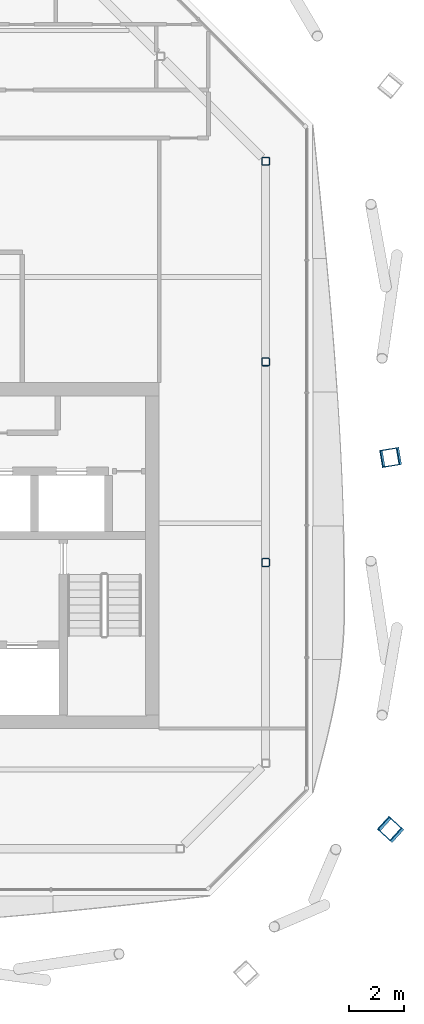
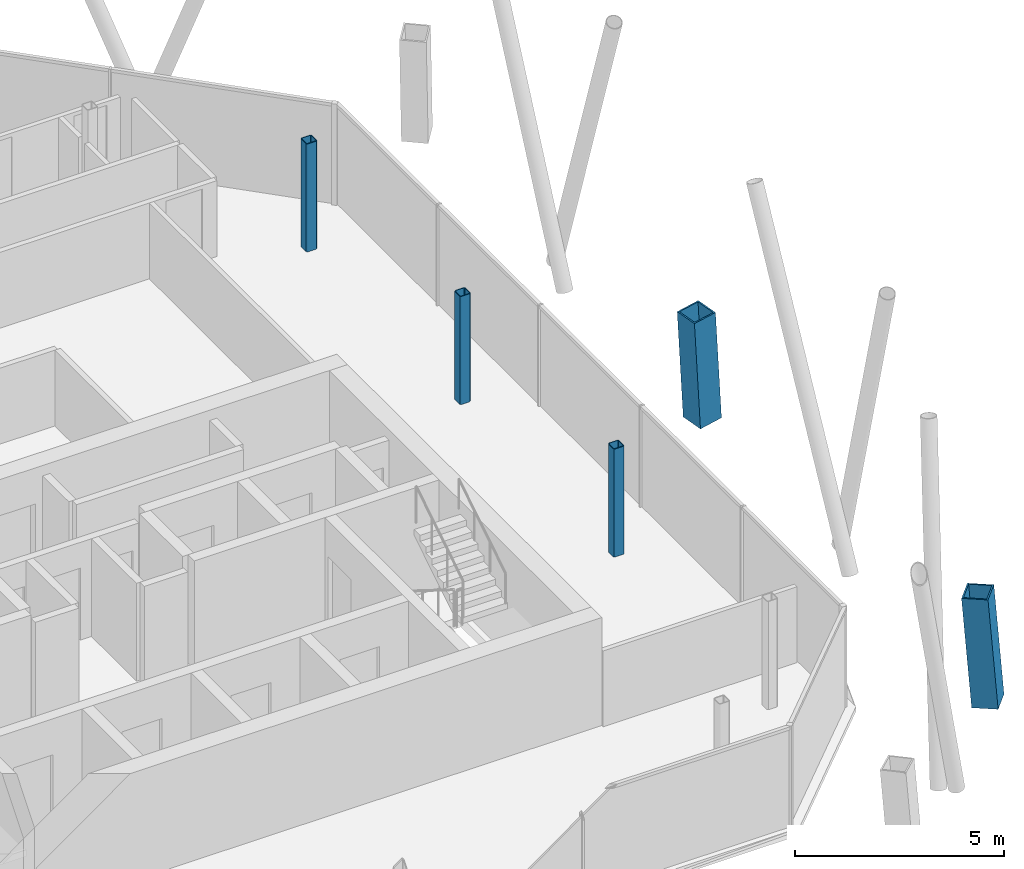
# One storey, part 2 of 17: 5 columns.
"""IFC4 building model written with IfcOpenShell, lengths in metres."""

from ifc_helpers import new_model, si_unit, direction, frame, origin, origin_2d, place, context, subcontext, project, spatial, hollow_rectangle, extrude, material, material_profile, profile_set, type_object, element, save


model = new_model("IFC4")

# Units and contexts
model_context = context("Model", 3, precision=1e-05, world=origin(), true_north=direction((0.0, 1.0)))
body_context = subcontext(model_context, "Body", "Model", "MODEL_VIEW")
ifc_project = project(units=[si_unit("LENGTHUNIT", "METRE"), si_unit("AREAUNIT", "SQUARE_METRE"), si_unit("VOLUMEUNIT", "CUBIC_METRE"), si_unit("PLANEANGLEUNIT", "RADIAN"), si_unit("MASSUNIT", "GRAM", prefix="KILO")], contexts=[model_context])

# Site, building, storey
site_placement = place(None, origin())
site = spatial("IfcSite", under=ifc_project, at=site_placement, CompositionType="ELEMENT")
building_placement = place(site_placement, origin())
building = spatial("IfcBuilding", under=site, at=building_placement, Name="Tskaro Facet Tower", CompositionType="ELEMENT")
storey_placement = place(building_placement, frame((0.0, 0.0, 236.10009765625)))
storey = spatial("IfcBuildingStorey", under=building, at=storey_placement, Name="L61", CompositionType="ELEMENT", Elevation=236.10009765625)

# Columns
ifc_material_1 = material(Name="Steel S355J2", Category="steel")
ifc_material_profile_1 = material_profile(ifc_material_1, hollow_rectangle(XDim=0.64990234375, YDim=0.64990234375, WallThickness=0.0400390625, at=origin_2d()), Name="BOX 650x650x40")
ifc_profile_set_1 = profile_set([ifc_material_profile_1], Name="Steel S355J2")
column_type_1 = type_object("IfcColumnType", Name="BOX 650x650x40 mega column", PredefinedType="COLUMN", material=ifc_profile_set_1)
column_1_placement = place(storey_placement, frame((17.989013671875, -15.719970703125, 0.0), z_axis=(-0.057951446548, 0.052851719252, 0.996919417814), x_axis=(-0.673848784787, -0.738869281565, 0.0)))
element("IfcColumn", 1, at=column_1_placement, inside=storey, type_object=column_type_1, Name="BOX 650x650x40 MC04/5", PredefinedType="COLUMN", context=body_context, shape_type="SweptSolid", body=[
    extrude(hollow_rectangle(XDim=0.64990234375, YDim=0.64990234375, WallThickness=0.0400390625, at=origin_2d()), origin(), (0.0, 0.0, 1.0), 3.15966796875),
])
column_2_placement = place(storey_placement, frame((17.989013671875, -2.092041015625, 0.0), z_axis=(-0.058029926409, -0.009516907931, 0.998269480704), x_axis=(0.161838042552, -0.986817332632, 0.0)))
element("IfcColumn", 2, at=column_2_placement, inside=storey, type_object=column_type_1, Name="BOX 650x650x40 MC05/5", PredefinedType="COLUMN", context=body_context, shape_type="SweptSolid", body=[
    extrude(hollow_rectangle(XDim=0.64990234375, YDim=0.64990234375, WallThickness=0.0400390625, at=origin_2d()), origin(), (0.0, 0.0, 1.0), 3.1552734375),
])
ifc_material_2 = material(Name="Steel S355J2H", Category="steel")
ifc_material_profile_2 = material_profile(ifc_material_2, hollow_rectangle(XDim=0.300048828125, YDim=0.300048828125, WallThickness=0.02001953125, InnerFilletRadius=0.030029296875, OuterFilletRadius=0.050048828125, at=origin_2d()), Name="SHS 300x300x20")
ifc_profile_set_2 = profile_set([ifc_material_profile_2], Name="Steel S355J2H")
column_type_2 = type_object("IfcColumnType", Name="SHS 300x300x20 ring column", PredefinedType="COLUMN", material=ifc_profile_set_2)
for number, where, z_axis, x_axis, name in (
    (3, (13.39111328125, -5.93701171875, 0.0), (0.0, 0.0, 1.0), (1.0, 0.0, 0.0), "SHS 300x300x20 RE-2/5"),
    (4, (13.39111328125, 1.39404296875, 0.0), (0.0, 0.0, 1.0), (1.0, 0.0, 0.0), "SHS 300x300x20 RE-3/5"),
    (5, (13.39111328125, 8.72509765625, 0.0), (0.0, 0.0, 1.0), (1.0, 0.0, 0.0), "SHS 300x300x20 RNE-1/5"),
):
    element("IfcColumn", number, at=place(storey_placement, frame(where, z_axis=z_axis, x_axis=x_axis)), inside=storey, type_object=column_type_2, Name=name, PredefinedType="COLUMN", context=body_context, shape_type="SweptSolid", body=[
        extrude(hollow_rectangle(XDim=0.300048828125, YDim=0.300048828125, WallThickness=0.02001953125, InnerFilletRadius=0.030029296875, OuterFilletRadius=0.050048828125, at=origin_2d()), origin(), (0.0, 0.0, 1.0), 3.14990234375),
    ])

save(model, "model.ifc")
